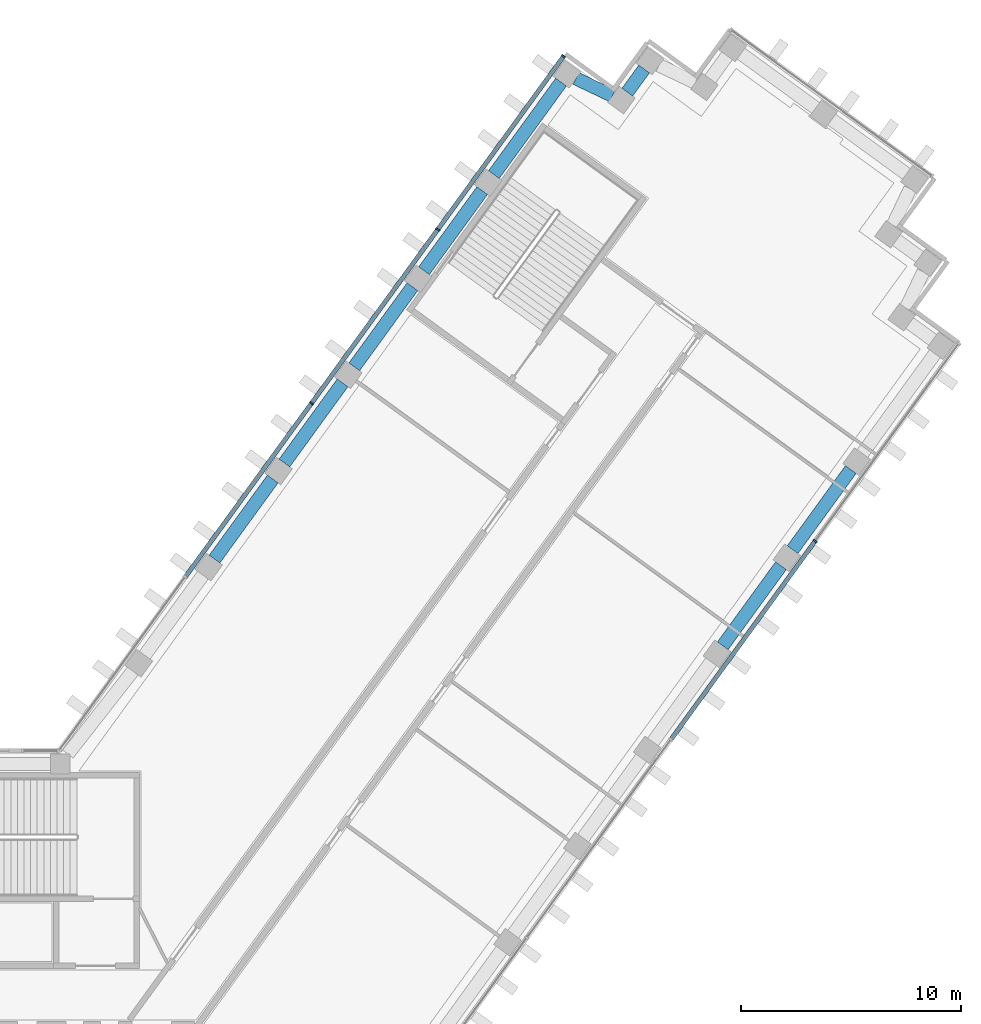
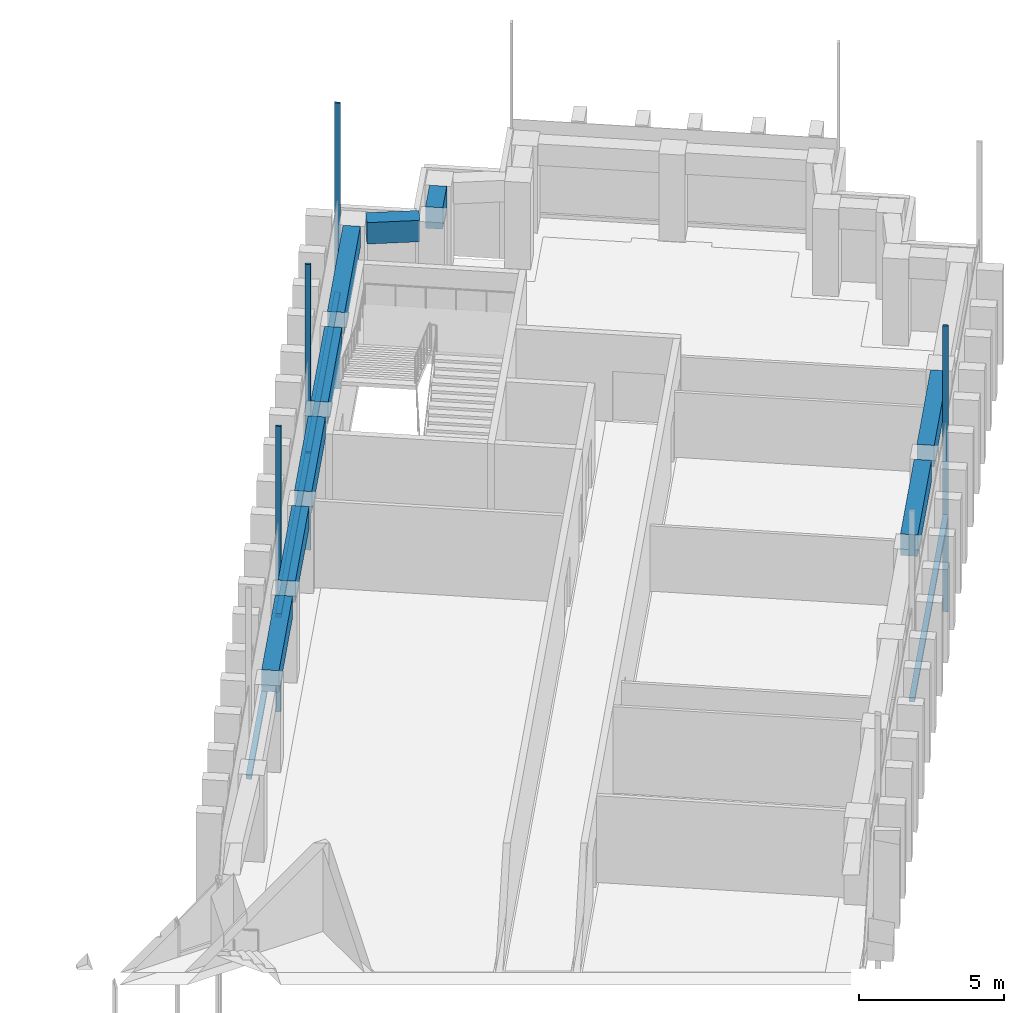
# One storey, part 6 of 18: 9 beams, 8 members, 2 elements without a shape of their own.
"""IFC4 building model written with IfcOpenShell, lengths in metres."""

from ifc_helpers import new_model, si_unit, direction, frame, origin, origin_2d, place, context, subcontext, project, spatial, rectangle, extrude, material, material_profile, profile_set, type_object, element, aggregate, save


model = new_model("IFC4")

# Units and contexts
model_context = context("Model", 3, precision=1e-05, world=origin(), true_north=direction((0.0, 1.0)))
body_context = subcontext(model_context, "Body", "Model", "MODEL_VIEW")
ifc_project = project(units=[si_unit("LENGTHUNIT", "METRE"), si_unit("AREAUNIT", "SQUARE_METRE"), si_unit("VOLUMEUNIT", "CUBIC_METRE"), si_unit("PLANEANGLEUNIT", "RADIAN"), si_unit("MASSUNIT", "GRAM", prefix="KILO")], contexts=[model_context])

# Site, building, storey
site_placement = place(None, origin())
site = spatial("IfcSite", under=ifc_project, at=site_placement, CompositionType="ELEMENT")
building_placement = place(site_placement, origin())
building = spatial("IfcBuilding", under=site, at=building_placement, Name="Quipu Civic Tower", CompositionType="ELEMENT")
storey_placement = place(building_placement, frame((0.0, 0.0, 71.0)))
storey = spatial("IfcBuildingStorey", under=building, at=storey_placement, Name="L16", CompositionType="ELEMENT", Elevation=71.0)

# Curtain wall, member
ifc_material_1 = material(Name="Insulated glass unit", Category="glass")
curtain_wall_type = type_object("IfcCurtainWallType", Name="Office curtain wall CW1", PredefinedType="NOTDEFINED", material=ifc_material_1)
curtain_wall_1_placement = place(storey_placement, origin())
curtain_wall_1 = element("IfcCurtainWall", 1, at=curtain_wall_1_placement, inside=storey, type_object=curtain_wall_type, Name="Office curtain wall CW1 L15 run 20", PredefinedType="NOTDEFINED")
ifc_material_2 = material(Name="Anodised aluminium", Category="aluminium")
ifc_material_profile_1 = material_profile(ifc_material_2, rectangle(XDim=0.199951171875, YDim=0.080078125, at=origin_2d()), Name="RECT 200x80")
ifc_profile_set_1 = profile_set([ifc_material_profile_1], Name="Anodised aluminium")
member_type_1 = type_object("IfcMemberType", Name="Mullion CW1", PredefinedType="MULLION", material=ifc_profile_set_1)
member_1_placement = place(storey_placement, frame((48.70458984375, 20.6240234375, -3.919921875), z_axis=(0.0, 0.0, 1.0), x_axis=(-0.809016770908, 0.587785559869, 0.0)))
member_1 = element("IfcMember", 2, at=member_1_placement, type_object=member_type_1, Name="CW1 mullion 4", PredefinedType="MULLION", context=body_context, shape_type="SweptSolid", body=[
    extrude(rectangle(XDim=0.199951171875, YDim=0.080078125, at=origin_2d()), origin(), (0.0, 0.0, 1.0), 12.0),
])

# Curtain wall, members
curtain_wall_2_placement = place(storey_placement, origin())
curtain_wall_2 = element("IfcCurtainWall", 3, at=curtain_wall_2_placement, inside=storey, type_object=curtain_wall_type, Name="Office curtain wall CW1 L15 run 30", PredefinedType="NOTDEFINED")
member_2_placement = place(storey_placement, frame((37.2705078125, 42.655029296875, -3.919921875), z_axis=(0.0, 0.0, 1.0), x_axis=(0.809016532822, -0.587785887566, 0.0)))
member_2 = element("IfcMember", 4, at=member_2_placement, type_object=member_type_1, Name="CW1 mullion 1", PredefinedType="MULLION", context=body_context, shape_type="SweptSolid", body=[
    extrude(rectangle(XDim=0.199951171875, YDim=0.080078125, at=origin_2d()), origin(), (0.0, 0.0, 1.0), 12.0),
])
member_3_placement = place(storey_placement, frame((31.556396484375, 34.79052734375, -3.919921875), z_axis=(0.0, 0.0, 1.0), x_axis=(0.809016532822, -0.587785887566, 0.0)))
member_3 = element("IfcMember", 5, at=member_3_placement, type_object=member_type_1, Name="CW1 mullion 2", PredefinedType="MULLION", context=body_context, shape_type="SweptSolid", body=[
    extrude(rectangle(XDim=0.199951171875, YDim=0.080078125, at=origin_2d()), origin(), (0.0, 0.0, 1.0), 12.0),
])
member_4_placement = place(storey_placement, frame((25.819091796875, 26.893798828125, -3.919921875), z_axis=(0.0, 0.0, 1.0), x_axis=(0.809016532822, -0.587785887566, 0.0)))
member_4 = element("IfcMember", 6, at=member_4_placement, type_object=member_type_1, Name="CW1 mullion 3", PredefinedType="MULLION", context=body_context, shape_type="SweptSolid", body=[
    extrude(rectangle(XDim=0.199951171875, YDim=0.080078125, at=origin_2d()), origin(), (0.0, 0.0, 1.0), 12.0),
])

# Beams
ifc_material_3 = material(Name="Concrete C50/60", Category="concrete")
ifc_material_profile_2 = material_profile(ifc_material_3, rectangle(XDim=0.60009765625, YDim=0.89990234375, at=origin_2d()), Name="RC600x900")
ifc_profile_set_2 = profile_set([ifc_material_profile_2], Name="Concrete C50/60")
beam_type = type_object("IfcBeamType", Name="Spandrel beam RC 600x900 C50/60", PredefinedType="SPANDREL", material=ifc_profile_set_2)
beam_1_placement = place(storey_placement, frame((44.5087890625, 15.870361328125, 3.199951171875), z_axis=(0.587803872688, 0.809003465539, 0.0), x_axis=(-0.809003465539, 0.587803872688, 0.0)))
element("IfcBeam", 7, at=beam_1_placement, inside=storey, type_object=beam_type, Name="Spandrel beam L16 E-OUT-05 to E-OUT-06", PredefinedType="SPANDREL", context=body_context, shape_type="SweptSolid", body=[
    extrude(rectangle(XDim=0.60009765625, YDim=0.89990234375, at=origin_2d()), origin(), (0.0, 0.0, 1.0), 4.499755859375),
])
beam_2_placement = place(storey_placement, frame((47.682861328125, 20.23876953125, 3.199951171875), z_axis=(0.587778073121, 0.809022210299, 0.0), x_axis=(-0.809022210299, 0.587778073121, 0.0)))
element("IfcBeam", 8, at=beam_2_placement, inside=storey, type_object=beam_type, Name="Spandrel beam L16 E-OUT-06 to E-OUT-07", PredefinedType="SPANDREL", context=body_context, shape_type="SweptSolid", body=[
    extrude(rectangle(XDim=0.60009765625, YDim=0.89990234375, at=origin_2d()), origin(), (0.0, 0.0, 1.0), 4.5),
])
beam_3_placement = place(storey_placement, frame((40.935302734375, 42.0810546875, 3.199951171875), z_axis=(-0.588461937499, -0.808524921146, 0.0), x_axis=(0.808524921146, -0.588461937499, 0.0)))
element("IfcBeam", 9, at=beam_3_placement, inside=storey, type_object=beam_type, Name="Spandrel beam L16 T-Ei.2-E50 to T-Ei.3-E50", PredefinedType="SPANDREL", context=body_context, shape_type="SweptSolid", body=[
    extrude(rectangle(XDim=0.60009765625, YDim=0.89990234375, at=origin_2d()), origin(), (0.0, 0.0, 1.0), 1.30029296875),
])
beam_4_placement = place(storey_placement, frame((39.492431640625, 40.863037109375, 3.199951171875), z_axis=(-0.90245397739, 0.430786279601, 0.0), x_axis=(-0.430786279601, -0.90245397739, 0.0)))
element("IfcBeam", 10, at=beam_4_placement, inside=storey, type_object=beam_type, Name="Spandrel beam L16 T-Ei.3-E50 to T-Ei.4-E50", PredefinedType="SPANDREL", context=body_context, shape_type="SweptSolid", body=[
    extrude(rectangle(XDim=0.60009765625, YDim=0.89990234375, at=origin_2d()), origin(), (0.0, 0.0, 1.0), 1.83349609375),
])
beam_5_placement = place(storey_placement, frame((37.160400390625, 41.48583984375, 3.199951171875), z_axis=(-0.587732861365, -0.80905505602, 0.0), x_axis=(0.80905505602, -0.587732861365, 0.0)))
element("IfcBeam", 11, at=beam_5_placement, inside=storey, type_object=beam_type, Name="Spandrel beam L16 T-Ei.4-E50 to E-IN-06", PredefinedType="SPANDREL", context=body_context, shape_type="SweptSolid", body=[
    extrude(rectangle(XDim=0.60009765625, YDim=0.89990234375, at=origin_2d()), origin(), (0.0, 0.0, 1.0), 5.194580078125),
])
for number, where, z_axis, x_axis, name in (
    (12, (33.578369140625, 36.55517578125, 3.199951171875), (-0.587716763865, -0.809066749701, 0.0), (0.809066749701, -0.587716763865, 0.0), "Spandrel beam L16 E-IN-06 to E-IN-05"),
    (13, (30.404541015625, 32.186279296875, 3.199951171875), (-0.587742561851, -0.809048009076, 0.0), (0.809048009076, -0.587742561851, 0.0), "Spandrel beam L16 E-IN-05 to E-IN-04"),
    (14, (27.230712890625, 27.8173828125, 3.199951171875), (-0.587778073121, -0.809022210299, 0.0), (0.809022210299, -0.587778073121, 0.0), "Spandrel beam L16 E-IN-04 to E-IN-03"),
    (15, (24.056884765625, 23.448486328125, 3.199951171875), (-0.587778073121, -0.809022210299, 0.0), (0.809022210299, -0.587778073121, 0.0), "Spandrel beam L16 E-IN-03 to E-IN-02"),
):
    element("IfcBeam", number, at=place(storey_placement, frame(where, z_axis=z_axis, x_axis=x_axis)), inside=storey, type_object=beam_type, Name=name, PredefinedType="SPANDREL", context=body_context, shape_type="SweptSolid", body=[
        extrude(rectangle(XDim=0.60009765625, YDim=0.89990234375, at=origin_2d()), origin(), (0.0, 0.0, 1.0), 4.5),
    ])

# Member
ifc_material_4 = material(Name="Anodised aluminium", Category="aluminium")
ifc_material_profile_3 = material_profile(ifc_material_4, rectangle(XDim=0.199951171875, YDim=0.159912109375, at=origin_2d()), Name="RECT 200x160")
ifc_profile_set_3 = profile_set([ifc_material_profile_3], Name="Anodised aluminium")
member_type_2 = type_object("IfcMemberType", Name="Transom CW1", PredefinedType="USERDEFINED", material=ifc_profile_set_3)
member_5_placement = place(storey_placement, frame((42.178466796875, 11.6416015625, 0.080078125), z_axis=(0.587795037589, 0.80900988485, 0.0), x_axis=(-0.80900988485, 0.587795037589, 0.0)))
member_5 = element("IfcMember", 16, at=member_5_placement, type_object=member_type_2, Name="CW1 transom 3.2", ObjectType="TRANSOM", PredefinedType="USERDEFINED", context=body_context, shape_type="SweptSolid", body=[
    extrude(rectangle(XDim=0.199951171875, YDim=0.159912109375, at=origin_2d()), origin(), (0.0, 0.0, 1.0), 11.062744140625),
])

aggregate(curtain_wall_1, [member_1, member_5])

member_6_placement = place(storey_placement, frame((37.246826171875, 42.622802734375, 0.080078125), z_axis=(-0.587775627857, -0.809023986849, 0.0), x_axis=(0.809023986849, -0.587775627857, 0.0)))
member_6 = element("IfcMember", 17, at=member_6_placement, type_object=member_type_2, Name="CW1 transom 1.2", ObjectType="TRANSOM", PredefinedType="USERDEFINED", context=body_context, shape_type="SweptSolid", body=[
    extrude(rectangle(XDim=0.199951171875, YDim=0.159912109375, at=origin_2d()), origin(), (0.0, 0.0, 1.0), 9.64111328125),
])

member_7_placement = place(storey_placement, frame((31.532958984375, 34.75830078125, 0.080078125), z_axis=(-0.58778177227, -0.809019522748, 0.0), x_axis=(0.809019522748, -0.58778177227, 0.0)))
member_7 = element("IfcMember", 18, at=member_7_placement, type_object=member_type_2, Name="CW1 transom 2.2", ObjectType="TRANSOM", PredefinedType="USERDEFINED", context=body_context, shape_type="SweptSolid", body=[
    extrude(rectangle(XDim=0.199951171875, YDim=0.159912109375, at=origin_2d()), origin(), (0.0, 0.0, 1.0), 9.68115234375),
])

member_8_placement = place(storey_placement, frame((25.795654296875, 26.861328125, 0.080078125), z_axis=(-0.587793764301, -0.80901080997, 0.0), x_axis=(0.80901080997, -0.587793764301, 0.0)))
member_8 = element("IfcMember", 19, at=member_8_placement, type_object=member_type_2, Name="CW1 transom 3.2", ObjectType="TRANSOM", PredefinedType="USERDEFINED", context=body_context, shape_type="SweptSolid", body=[
    extrude(rectangle(XDim=0.199951171875, YDim=0.159912109375, at=origin_2d()), origin(), (0.0, 0.0, 1.0), 9.680908203125),
])

aggregate(curtain_wall_2, [member_2, member_3, member_4, member_6, member_7, member_8])

save(model, "model.ifc")
